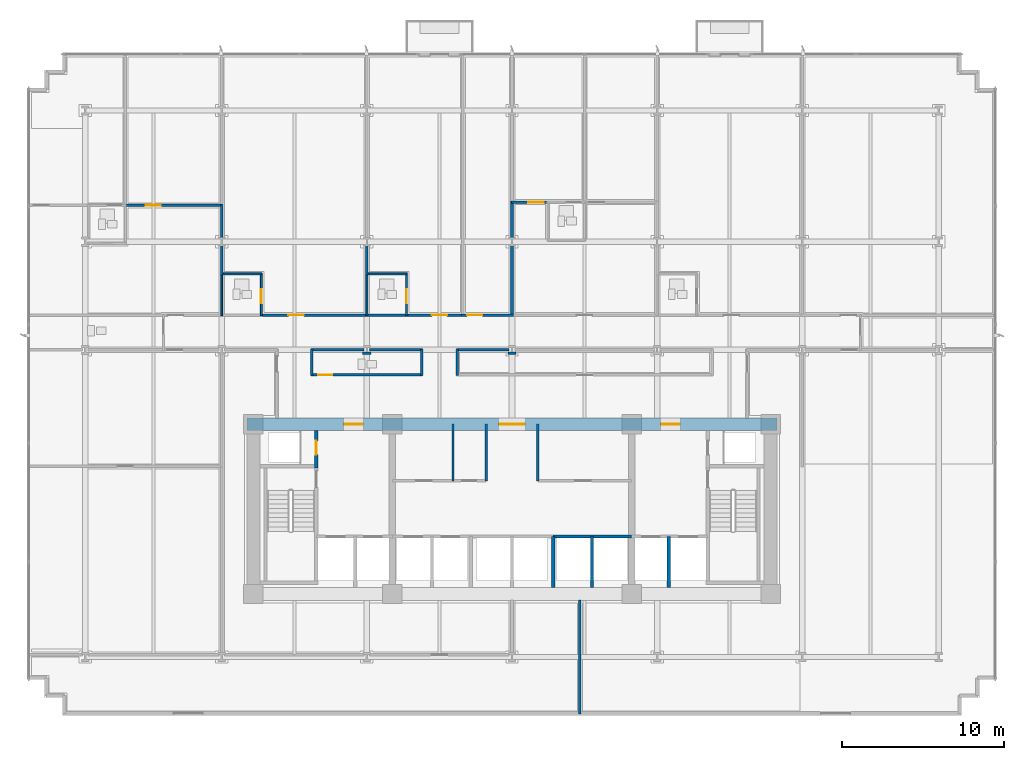
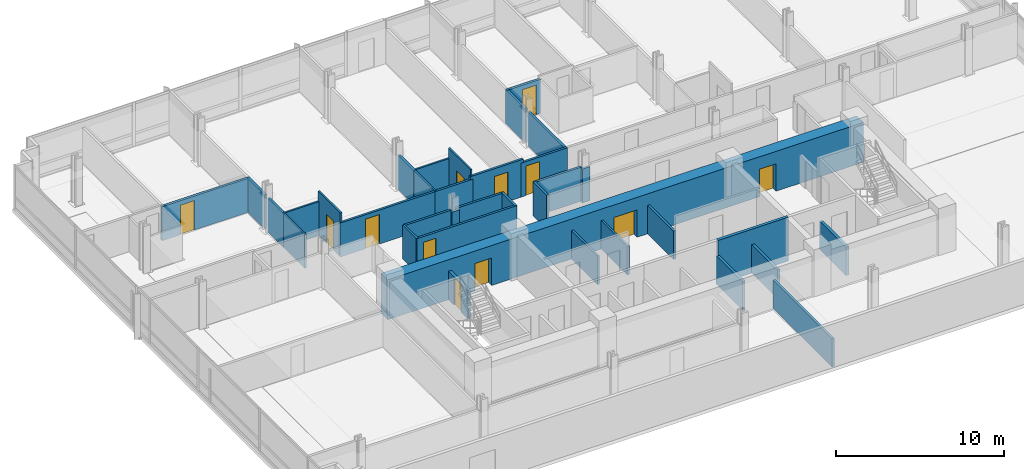
# One storey, part 9 of 16: 36 walls, 12 doors, 12 openings.
"""IFC4 building model written with IfcOpenShell, lengths in metres."""

from ifc_helpers import new_model, si_unit, direction, frame, frame_2d, origin, place, context, subcontext, project, spatial, rectangle, extrude, material, layer, layer_set, type_object, element, fill, save


model = new_model("IFC4")

# Units and contexts
model_context = context("Model", 3, precision=1e-05, world=origin(), true_north=direction((0.0, 1.0)))
body_context = subcontext(model_context, "Body", "Model", "MODEL_VIEW")
ifc_project = project(units=[si_unit("LENGTHUNIT", "METRE"), si_unit("AREAUNIT", "SQUARE_METRE"), si_unit("VOLUMEUNIT", "CUBIC_METRE"), si_unit("PLANEANGLEUNIT", "RADIAN"), si_unit("MASSUNIT", "GRAM", prefix="KILO")], contexts=[model_context])

# Site, building, storey
site_placement = place(None, origin())
site = spatial("IfcSite", under=ifc_project, at=site_placement, CompositionType="ELEMENT")
building_placement = place(site_placement, origin())
building = spatial("IfcBuilding", under=site, at=building_placement, Name="Solmavex Isthmus Hotel", CompositionType="ELEMENT")
storey_placement = place(building_placement, frame((0.0, 0.0, 36.75)))
storey = spatial("IfcBuildingStorey", under=building, at=storey_placement, Name="L09", CompositionType="ELEMENT", Elevation=36.75)

# Wall, opening, door
ifc_material_1 = material(Name="Gypsum plasterboard lining", Category="gypsum")
ifc_layer_1 = layer(ifc_material_1, 0.159912109375)
ifc_layer_set_1 = layer_set([ifc_layer_1], Name="Gypsum plasterboard lining")
wall_type_1 = type_object("IfcWallType", Name="IW-COMP-160", PredefinedType="PARTITIONING", material=ifc_layer_set_1)
wall_1_placement = place(storey_placement, frame((-23.9560546875, 11.0380859375, 0.0), z_axis=(0.0, 0.0, 1.0), x_axis=(1.0, 0.0, 0.0)))
wall_1 = element("IfcWall", 1, at=wall_1_placement, inside=storey, type_object=wall_type_1, Name="Interior Partition Wall W-L09-P034", PredefinedType="PARTITIONING", context=body_context, shape_type="SweptSolid", body=[
    extrude(rectangle(XDim=6.0439453125, YDim=0.159912109375, at=frame_2d((3.02197265625, 0.0))), origin(), (0.0, 0.0, 1.0), 2.4794921875),
])
opening_1_placement = place(wall_1_placement, frame((1.294677734375, 0.0, 0.0)))
opening_1 = element("IfcOpeningElement", 2, at=opening_1_placement, cuts=wall_1, Name="Opening ID-C095", PredefinedType="OPENING", context=body_context, shape_type="SweptSolid", body=[
    extrude(rectangle(XDim=0.949951171875, YDim=2.14990234375, at=frame_2d((0.47509765625, 1.074951171875))), frame((0.0, 0.08984375, 0.0), z_axis=(0.0, -1.0, 0.0), x_axis=(1.0, 0.0, 0.0)), (0.0, 0.0, 1.0), 0.179931640625),
])
ifc_material_2 = material(Name="Hardwood timber", Category="wood")
door_type_1 = type_object("IfcDoorType", Name="IDR-FD60-0950", OperationType="NOTDEFINED", PredefinedType="DOOR", material=ifc_material_2)
door_1_placement = place(opening_1_placement, origin())
door_1 = element("IfcDoor", 3, at=door_1_placement, inside=storey, type_object=door_type_1, Name="Ambassador Panorama Suite Panorama Sitting Study Door L09-03", OperationType="SINGLE_SWING_LEFT", OverallHeight=2.14990234375, OverallWidth=0.949951171875, PredefinedType="DOOR", context=body_context, shape_type="SweptSolid", body=[
    extrude(rectangle(XDim=0.949951171875, YDim=2.14990234375, at=frame_2d((0.47509765625, 1.074951171875))), frame((0.0, 0.02490234375, 0.0), z_axis=(0.0, -1.0, 0.0), x_axis=(1.0, 0.0, 0.0)), (0.0, 0.0, 1.0), 0.050048828125),
])
fill(opening_1, door_1)

# Walls
wall_2_placement = place(storey_placement, frame((-17.951904296875, 8.613037109375, 0.0), z_axis=(0.0, 0.0, 1.0), x_axis=(0.0, -1.0, 0.0)))
element("IfcWall", 4, at=wall_2_placement, inside=storey, type_object=wall_type_1, Name="Interior Partition Wall W-L09-P038", PredefinedType="PARTITIONING", context=body_context, shape_type="SweptSolid", body=[
    extrude(rectangle(XDim=1.89501953125, YDim=0.159912109375, at=frame_2d((0.947509765625, 0.0))), origin(), (0.0, 0.0, 1.0), 2.4794921875),
])
wall_3_placement = place(storey_placement, frame((-17.951904296875, 11.077880859375, 0.0), z_axis=(0.0, 0.0, 1.0), x_axis=(0.0, -1.0, 0.0)))
element("IfcWall", 5, at=wall_3_placement, inside=storey, type_object=wall_type_1, Name="Interior Partition Wall W-L09-P039", PredefinedType="PARTITIONING", context=body_context, shape_type="SweptSolid", body=[
    extrude(rectangle(XDim=2.114990234375, YDim=0.159912109375, at=frame_2d((1.0576171875, 0.0))), origin(), (0.0, 0.0, 1.0), 2.4794921875),
])
wall_4_placement = place(storey_placement, frame((-8.97607421875, 8.613037109375, 0.0), z_axis=(0.0, 0.0, 1.0), x_axis=(0.0, -1.0, 0.0)))
element("IfcWall", 6, at=wall_4_placement, inside=storey, type_object=wall_type_1, Name="Interior Partition Wall W-L09-P048", PredefinedType="PARTITIONING", context=body_context, shape_type="SweptSolid", body=[
    extrude(rectangle(XDim=1.89501953125, YDim=0.159912109375, at=frame_2d((0.947509765625, 0.0))), origin(), (0.0, 0.0, 1.0), 2.4794921875),
])
wall_5_placement = place(storey_placement, frame((0.0, 8.613037109375, 0.0), z_axis=(0.0, 0.0, 1.0), x_axis=(0.0, -1.0, 0.0)))
element("IfcWall", 7, at=wall_5_placement, inside=storey, type_object=wall_type_1, Name="Interior Partition Wall W-L09-P055", PredefinedType="PARTITIONING", context=body_context, shape_type="SweptSolid", body=[
    extrude(rectangle(XDim=4.403076171875, YDim=0.159912109375, at=frame_2d((2.20166015625, 0.0))), origin(), (0.0, 0.0, 1.0), 2.4794921875),
])
wall_6_placement = place(storey_placement, frame((0.0, 11.320068359375, 0.0), z_axis=(0.0, 0.0, 1.0), x_axis=(0.0, -1.0, 0.0)))
element("IfcWall", 8, at=wall_6_placement, inside=storey, type_object=wall_type_1, Name="Interior Partition Wall W-L09-P056", PredefinedType="PARTITIONING", context=body_context, shape_type="SweptSolid", body=[
    extrude(rectangle(XDim=2.357177734375, YDim=0.159912109375, at=frame_2d((1.1787109375, 0.0))), origin(), (0.0, 0.0, 1.0), 2.4794921875),
])

# Wall, opening, door
wall_7_placement = place(storey_placement, frame((-0.0400390625, 11.238037109375, 0.0), z_axis=(0.0, 0.0, 1.0), x_axis=(1.0, 0.0, 0.0)))
wall_7 = element("IfcWall", 9, at=wall_7_placement, inside=storey, type_object=wall_type_1, Name="Interior Partition Wall W-L09-P059", PredefinedType="PARTITIONING", context=body_context, shape_type="SweptSolid", body=[
    extrude(rectangle(XDim=2.318115234375, YDim=0.159912109375, at=frame_2d((1.1591796875, 0.0))), origin(), (0.0, 0.0, 1.0), 2.4794921875),
])
opening_2_placement = place(wall_7_placement, frame((1.06005859375, 0.0, 0.0)))
opening_2 = element("IfcOpeningElement", 10, at=opening_2_placement, cuts=wall_7, Name="Opening ID-C095", PredefinedType="OPENING", context=body_context, shape_type="SweptSolid", body=[
    extrude(rectangle(XDim=0.949951171875, YDim=2.14990234375, at=frame_2d((0.47509765625, 1.074951171875))), frame((0.0, 0.08984375, 0.0), z_axis=(0.0, -1.0, 0.0), x_axis=(1.0, 0.0, 0.0)), (0.0, 0.0, 1.0), 0.179931640625),
])
door_2_placement = place(opening_2_placement, origin())
door_2 = element("IfcDoor", 11, at=door_2_placement, inside=storey, type_object=door_type_1, Name="Diplomatic Hospitality Suite Bedroom Door L09-11", OperationType="SINGLE_SWING_LEFT", OverallHeight=2.14990234375, OverallWidth=0.949951171875, PredefinedType="DOOR", context=body_context, shape_type="SweptSolid", body=[
    extrude(rectangle(XDim=0.949951171875, YDim=2.14990234375, at=frame_2d((0.47509765625, 1.074951171875))), frame((0.0, 0.02490234375, 0.0), z_axis=(0.0, -1.0, 0.0), x_axis=(1.0, 0.0, 0.0)), (0.0, 0.0, 1.0), 0.050048828125),
])
fill(opening_2, door_2)

# Walls
wall_8_placement = place(storey_placement, frame((4.199951171875, -20.419921875, 0.0), z_axis=(0.0, 0.0, 1.0), x_axis=(0.0, 1.0, 0.0)))
element("IfcWall", 12, at=wall_8_placement, inside=storey, type_object=wall_type_1, Name="Interior Partition Wall W-L09-P088", PredefinedType="PARTITIONING", context=body_context, shape_type="SweptSolid", body=[
    extrude(rectangle(XDim=7.059814453125, YDim=0.159912109375, at=frame_2d((3.52978515625, 0.0))), origin(), (0.0, 0.0, 1.0), 2.074951171875),
])
ifc_layer_2 = layer(ifc_material_1, 0.14990234375)
ifc_layer_set_2 = layer_set([ifc_layer_2], Name="Gypsum plasterboard lining")
wall_type_2 = type_object("IfcWallType", Name="IW-CORR-150", PredefinedType="PARTITIONING", material=ifc_layer_set_2)
for number, where, z_axis, x_axis, name in (
    (13, (-1.60009765625, -6.0, 0.0), (0.0, 0.0, 1.0), (0.0, 1.0, 0.0), "Interior Partition Wall W-L09-BOH-WE"),
    (14, (1.60009765625, -6.0, 0.0), (0.0, 0.0, 1.0), (0.0, 1.0, 0.0), "Interior Partition Wall W-L09-BOH-EW"),
):
    element("IfcWall", number, at=place(storey_placement, frame(where, z_axis=z_axis, x_axis=x_axis)), inside=storey, type_object=wall_type_2, Name=name, PredefinedType="PARTITIONING", context=body_context, shape_type="SweptSolid", body=[
        extrude(rectangle(XDim=3.5, YDim=0.14990234375, at=frame_2d((1.75, 0.0))), origin(), (0.0, 0.0, 1.0), 2.074951171875),
    ])

# Wall, opening, door
wall_9_placement = place(storey_placement, frame((-15.583984375, 4.25, 0.0), z_axis=(0.0, 0.0, 1.0), x_axis=(1.0, 0.0, 0.0)))
wall_9 = element("IfcWall", 15, at=wall_9_placement, inside=storey, type_object=wall_type_2, Name="Interior Partition Wall W-L09-P002", PredefinedType="PARTITIONING", context=body_context, shape_type="SweptSolid", body=[
    extrude(rectangle(XDim=6.68994140625, YDim=0.14990234375, at=frame_2d((3.344970703125, 0.0))), origin(), (0.0, 0.0, 1.0), 2.4794921875),
])
opening_3_placement = place(wall_9_placement, frame((1.759521484375, 0.0, 0.0)))
opening_3 = element("IfcOpeningElement", 16, at=opening_3_placement, cuts=wall_9, Name="Opening ID-C095", PredefinedType="OPENING", context=body_context, shape_type="SweptSolid", body=[
    extrude(rectangle(XDim=0.949951171875, YDim=2.14990234375, at=frame_2d((0.47509765625, 1.074951171875))), frame((0.0, 0.0849609375, 0.0), z_axis=(0.0, -1.0, 0.0), x_axis=(1.0, 0.0, 0.0)), (0.0, 0.0, 1.0), 0.169921875),
])
door_3_placement = place(opening_3_placement, origin())
door_3 = element("IfcDoor", 17, at=door_3_placement, inside=storey, type_object=door_type_1, Name="Premier Suite Door L09-05", OperationType="SINGLE_SWING_LEFT", OverallHeight=2.14990234375, OverallWidth=0.949951171875, PredefinedType="DOOR", context=body_context, shape_type="SweptSolid", body=[
    extrude(rectangle(XDim=0.949951171875, YDim=2.14990234375, at=frame_2d((0.47509765625, 1.074951171875))), frame((0.0, 0.02490234375, 0.0), z_axis=(0.0, -1.0, 0.0), x_axis=(1.0, 0.0, 0.0)), (0.0, 0.0, 1.0), 0.050048828125),
])
fill(opening_3, door_3)

wall_10_placement = place(storey_placement, frame((-6.60791015625, 4.25, 0.0), z_axis=(0.0, 0.0, 1.0), x_axis=(1.0, 0.0, 0.0)))
wall_10 = element("IfcWall", 18, at=wall_10_placement, inside=storey, type_object=wall_type_2, Name="Interior Partition Wall W-L09-P004", PredefinedType="PARTITIONING", context=body_context, shape_type="SweptSolid", body=[
    extrude(rectangle(XDim=3.65185546875, YDim=0.14990234375, at=frame_2d((1.825927734375, 0.0))), origin(), (0.0, 0.0, 1.0), 2.718017578125),
])
opening_4_placement = place(wall_10_placement, frame((1.65087890625, 0.0, 0.0)))
opening_4 = element("IfcOpeningElement", 19, at=opening_4_placement, cuts=wall_10, Name="Opening ID-C095", PredefinedType="OPENING", context=body_context, shape_type="SweptSolid", body=[
    extrude(rectangle(XDim=0.949951171875, YDim=2.14990234375, at=frame_2d((0.47509765625, 1.074951171875))), frame((0.0, 0.0849609375, 0.0), z_axis=(0.0, -1.0, 0.0), x_axis=(1.0, 0.0, 0.0)), (0.0, 0.0, 1.0), 0.169921875),
])
door_4_placement = place(opening_4_placement, origin())
door_4 = element("IfcDoor", 20, at=door_4_placement, inside=storey, type_object=door_type_1, Name="Premier Suite Door L09-07", OperationType="SINGLE_SWING_LEFT", OverallHeight=2.14990234375, OverallWidth=0.949951171875, PredefinedType="DOOR", context=body_context, shape_type="SweptSolid", body=[
    extrude(rectangle(XDim=0.949951171875, YDim=2.14990234375, at=frame_2d((0.47509765625, 1.074951171875))), frame((0.0, 0.02490234375, 0.0), z_axis=(0.0, -1.0, 0.0), x_axis=(1.0, 0.0, 0.0)), (0.0, 0.0, 1.0), 0.050048828125),
])
fill(opening_4, door_4)

# Wall
wall_11_placement = place(storey_placement, frame((-9.05810546875, 4.25, 0.0), z_axis=(0.0, 0.0, 1.0), x_axis=(1.0, 0.0, 0.0)))
element("IfcWall", 21, at=wall_11_placement, inside=storey, type_object=wall_type_2, Name="Interior Partition Wall W-L09-P005", PredefinedType="PARTITIONING", context=body_context, shape_type="SweptSolid", body=[
    extrude(rectangle(XDim=2.614013671875, YDim=0.14990234375, at=frame_2d((1.30712890625, 0.0))), origin(), (0.0, 0.0, 1.0), 2.4794921875),
])

# Wall, opening, door
wall_12_placement = place(storey_placement, frame((-3.1201171875, 4.25, 0.0), z_axis=(0.0, 0.0, 1.0), x_axis=(1.0, 0.0, 0.0)))
wall_12 = element("IfcWall", 22, at=wall_12_placement, inside=storey, type_object=wall_type_2, Name="Interior Partition Wall W-L09-P006", PredefinedType="PARTITIONING", context=body_context, shape_type="SweptSolid", body=[
    extrude(rectangle(XDim=3.2021484375, YDim=0.14990234375, at=frame_2d((1.60107421875, 0.0))), origin(), (0.0, 0.0, 1.0), 2.4794921875),
])
opening_5_placement = place(wall_12_placement, frame((0.33935546875, 0.0, 0.0)))
opening_5 = element("IfcOpeningElement", 23, at=opening_5_placement, cuts=wall_12, Name="Opening ID-C095", PredefinedType="OPENING", context=body_context, shape_type="SweptSolid", body=[
    extrude(rectangle(XDim=0.949951171875, YDim=2.14990234375, at=frame_2d((0.47509765625, 1.074951171875))), frame((0.0, 0.0849609375, 0.0), z_axis=(0.0, -1.0, 0.0), x_axis=(1.0, 0.0, 0.0)), (0.0, 0.0, 1.0), 0.169921875),
])
door_5_placement = place(opening_5_placement, origin())
door_5 = element("IfcDoor", 24, at=door_5_placement, inside=storey, type_object=door_type_1, Name="Hospitality Club Lounge Door L09-09", OperationType="SINGLE_SWING_LEFT", OverallHeight=2.14990234375, OverallWidth=0.949951171875, PredefinedType="DOOR", context=body_context, shape_type="SweptSolid", body=[
    extrude(rectangle(XDim=0.949951171875, YDim=2.14990234375, at=frame_2d((0.47509765625, 1.074951171875))), frame((0.0, 0.02490234375, 0.0), z_axis=(0.0, -1.0, 0.0), x_axis=(1.0, 0.0, 0.0)), (0.0, 0.0, 1.0), 0.050048828125),
])
fill(opening_5, door_5)

# Walls
wall_13_placement = place(storey_placement, frame((-8.720947265625, 1.885009765625, 0.0), z_axis=(0.0, 0.0, 1.0), x_axis=(-1.0, 0.0, 0.0)))
element("IfcWall", 25, at=wall_13_placement, inside=storey, type_object=wall_type_2, Name="Interior Partition Wall W-L09-P011", PredefinedType="PARTITIONING", context=body_context, shape_type="SweptSolid", body=[
    extrude(rectangle(XDim=0.510009765625, YDim=0.14990234375, at=frame_2d((0.2548828125, 0.0))), origin(), (0.0, 0.0, 1.0), 2.4794921875),
])
wall_14_placement = place(storey_placement, frame((-9.15087890625, 2.10009765625, 0.0), z_axis=(0.0, 0.0, 1.0), x_axis=(-1.0, 0.0, 0.0)))
element("IfcWall", 26, at=wall_14_placement, inside=storey, type_object=wall_type_2, Name="Interior Partition Wall W-L09-P012", PredefinedType="PARTITIONING", context=body_context, shape_type="SweptSolid", body=[
    extrude(rectangle(XDim=3.273193359375, YDim=0.14990234375, at=frame_2d((1.63671875, 0.0))), origin(), (0.0, 0.0, 1.0), 2.4794921875),
])
wall_15_placement = place(storey_placement, frame((-12.384033203125, 2.139892578125, 0.0), z_axis=(0.0, 0.0, 1.0), x_axis=(0.0, -1.0, 0.0)))
element("IfcWall", 27, at=wall_15_placement, inside=storey, type_object=wall_type_2, Name="Interior Partition Wall W-L09-P013", PredefinedType="PARTITIONING", context=body_context, shape_type="SweptSolid", body=[
    extrude(rectangle(XDim=1.6298828125, YDim=0.14990234375, at=frame_2d((0.81494140625, 0.0))), origin(), (0.0, 0.0, 1.0), 2.4794921875),
])

# Wall, opening, door
wall_16_placement = place(storey_placement, frame((-12.424072265625, 0.550048828125, 0.0), z_axis=(0.0, 0.0, 1.0), x_axis=(1.0, 0.0, 0.0)))
wall_16 = element("IfcWall", 28, at=wall_16_placement, inside=storey, type_object=wall_type_2, Name="Interior Partition Wall W-L09-P014", PredefinedType="PARTITIONING", context=body_context, shape_type="SweptSolid", body=[
    extrude(rectangle(XDim=6.8759765625, YDim=0.14990234375, at=frame_2d((3.43798828125, 0.0))), origin(), (0.0, 0.0, 1.0), 2.4794921875),
])
opening_6_placement = place(wall_16_placement, frame((0.444091796875, 0.0, 0.0)))
opening_6 = element("IfcOpeningElement", 29, at=opening_6_placement, cuts=wall_16, Name="Opening ID-R085", PredefinedType="OPENING", context=body_context, shape_type="SweptSolid", body=[
    extrude(rectangle(XDim=0.85009765625, YDim=2.050048828125, at=frame_2d((0.425048828125, 1.02490234375))), frame((0.0, 0.0849609375, 0.0), z_axis=(0.0, -1.0, 0.0), x_axis=(1.0, 0.0, 0.0)), (0.0, 0.0, 1.0), 0.169921875),
])
ifc_material_3 = material(Name="Steel ASTM A500 Grade C", Category="steel")
door_type_2 = type_object("IfcDoorType", Name="IDR-FD60-0850", OperationType="NOTDEFINED", PredefinedType="DOOR", material=ifc_material_3)
door_6_placement = place(opening_6_placement, frame((0.85009765625, 0.0, 0.0), z_axis=(0.0, 0.0, 1.0), x_axis=(-1.0, 0.0, 0.0)))
door_6 = element("IfcDoor", 30, at=door_6_placement, inside=storey, type_object=door_type_2, Name="Accessible Public Restroom WC Door L09-17", OperationType="SINGLE_SWING_LEFT", OverallHeight=2.050048828125, OverallWidth=0.85009765625, PredefinedType="DOOR", context=body_context, shape_type="SweptSolid", body=[
    extrude(rectangle(XDim=0.85009765625, YDim=2.050048828125, at=frame_2d((0.425048828125, 1.02490234375))), frame((0.0, 0.02490234375, 0.0), z_axis=(0.0, -1.0, 0.0), x_axis=(1.0, 0.0, 0.0)), (0.0, 0.0, 1.0), 0.050048828125),
])
fill(opening_6, door_6)

# Walls
wall_17_placement = place(storey_placement, frame((-5.587890625, 0.510009765625, 0.0), z_axis=(0.0, 0.0, 1.0), x_axis=(0.0, 1.0, 0.0)))
element("IfcWall", 31, at=wall_17_placement, inside=storey, type_object=wall_type_2, Name="Interior Partition Wall W-L09-P015", PredefinedType="PARTITIONING", context=body_context, shape_type="SweptSolid", body=[
    extrude(rectangle(XDim=1.6298828125, YDim=0.14990234375, at=frame_2d((0.81494140625, 0.0))), origin(), (0.0, 0.0, 1.0), 2.4794921875),
])
wall_18_placement = place(storey_placement, frame((-5.548095703125, 2.10009765625, 0.0), z_axis=(0.0, 0.0, 1.0), x_axis=(-1.0, 0.0, 0.0)))
element("IfcWall", 32, at=wall_18_placement, inside=storey, type_object=wall_type_2, Name="Interior Partition Wall W-L09-P016", PredefinedType="PARTITIONING", context=body_context, shape_type="SweptSolid", body=[
    extrude(rectangle(XDim=3.2529296875, YDim=0.14990234375, at=frame_2d((1.62646484375, 0.0))), origin(), (0.0, 0.0, 1.0), 2.4794921875),
])
wall_19_placement = place(storey_placement, frame((0.2548828125, 1.885009765625, 0.0), z_axis=(0.0, 0.0, 1.0), x_axis=(-1.0, 0.0, 0.0)))
element("IfcWall", 33, at=wall_19_placement, inside=storey, type_object=wall_type_2, Name="Interior Partition Wall W-L09-P020", PredefinedType="PARTITIONING", context=body_context, shape_type="SweptSolid", body=[
    extrude(rectangle(XDim=0.509765625, YDim=0.14990234375, at=frame_2d((0.2548828125, 0.0))), origin(), (0.0, 0.0, 1.0), 2.4794921875),
])
wall_20_placement = place(storey_placement, frame((-0.175048828125, 2.10009765625, 0.0), z_axis=(0.0, 0.0, 1.0), x_axis=(-1.0, 0.0, 0.0)))
element("IfcWall", 34, at=wall_20_placement, inside=storey, type_object=wall_type_2, Name="Interior Partition Wall W-L09-P021", PredefinedType="PARTITIONING", context=body_context, shape_type="SweptSolid", body=[
    extrude(rectangle(XDim=3.2529296875, YDim=0.14990234375, at=frame_2d((1.62646484375, 0.0))), origin(), (0.0, 0.0, 1.0), 2.4794921875),
])
wall_21_placement = place(storey_placement, frame((-3.387939453125, 2.139892578125, 0.0), z_axis=(0.0, 0.0, 1.0), x_axis=(0.0, -1.0, 0.0)))
element("IfcWall", 35, at=wall_21_placement, inside=storey, type_object=wall_type_2, Name="Interior Partition Wall W-L09-P022", PredefinedType="PARTITIONING", context=body_context, shape_type="SweptSolid", body=[
    extrude(rectangle(XDim=1.6298828125, YDim=0.14990234375, at=frame_2d((0.81494140625, 0.0))), origin(), (0.0, 0.0, 1.0), 2.4794921875),
])
ifc_layer_3 = layer(ifc_material_1, 0.1201171875)
ifc_layer_set_3 = layer_set([ifc_layer_3], Name="Gypsum plasterboard lining")
wall_type_3 = type_object("IfcWallType", Name="IW-PART-120", PredefinedType="PARTITIONING", material=ifc_layer_set_3)
wall_22_placement = place(storey_placement, frame((-3.64990234375, -6.0, 0.0), z_axis=(0.0, 0.0, 1.0), x_axis=(0.0, 1.0, 0.0)))
element("IfcWall", 36, at=wall_22_placement, inside=storey, type_object=wall_type_3, Name="Interior Partition Wall W-L09-BOH-WM1", PredefinedType="PARTITIONING", context=body_context, shape_type="SweptSolid", body=[
    extrude(rectangle(XDim=3.5, YDim=0.14990234375, at=frame_2d((1.75, 0.0))), origin(), (0.0, 0.0, 1.0), 2.074951171875),
])
wall_23_placement = place(storey_placement, frame((-17.951904296875, 6.882080078125, 0.0), z_axis=(0.0, 0.0, 1.0), x_axis=(0.0, -1.0, 0.0)))
element("IfcWall", 37, at=wall_23_placement, inside=storey, type_object=wall_type_3, Name="Interior Partition Wall W-L09-P040", PredefinedType="PARTITIONING", context=body_context, shape_type="SweptSolid", body=[
    extrude(rectangle(XDim=2.672119140625, YDim=0.1201171875, at=frame_2d((1.3359375, 0.0))), origin(), (0.0, 0.0, 1.0), 2.4794921875),
])

# Wall, opening, door
wall_24_placement = place(storey_placement, frame((-15.501953125, 4.2099609375, 0.0), z_axis=(0.0, 0.0, 1.0), x_axis=(0.0, 1.0, 0.0)))
wall_24 = element("IfcWall", 38, at=wall_24_placement, inside=storey, type_object=wall_type_3, Name="Interior Partition Wall W-L09-P046", PredefinedType="PARTITIONING", context=body_context, shape_type="SweptSolid", body=[
    extrude(rectangle(XDim=2.630126953125, YDim=0.1201171875, at=frame_2d((1.31494140625, 0.0))), origin(), (0.0, 0.0, 1.0), 3.18994140625),
])
opening_7_placement = place(wall_24_placement, frame((0.782958984375, 0.0, 0.0)))
opening_7 = element("IfcOpeningElement", 39, at=opening_7_placement, cuts=wall_24, Name="Opening ID-U085", PredefinedType="OPENING", context=body_context, shape_type="SweptSolid", body=[
    extrude(rectangle(XDim=0.85009765625, YDim=2.10009765625, at=frame_2d((0.425048828125, 1.050048828125))), frame((0.0, 0.070068359375, 0.0), z_axis=(0.0, -1.0, 0.0), x_axis=(1.0, 0.0, 0.0)), (0.0, 0.0, 1.0), 0.14013671875),
])
door_type_3 = type_object("IfcDoorType", Name="IDR-UNR-0850", OperationType="NOTDEFINED", PredefinedType="DOOR", material=ifc_material_2)
door_7_placement = place(opening_7_placement, frame((0.85009765625, 0.0, 0.0), z_axis=(0.0, 0.0, 1.0), x_axis=(-1.0, 0.0, 0.0)))
door_7 = element("IfcDoor", 40, at=door_7_placement, inside=storey, type_object=door_type_3, Name="En-suite Bathroom Door L09-06", OperationType="SINGLE_SWING_RIGHT", OverallHeight=2.10009765625, OverallWidth=0.85009765625, PredefinedType="DOOR", context=body_context, shape_type="SweptSolid", body=[
    extrude(rectangle(XDim=0.85009765625, YDim=2.10009765625, at=frame_2d((0.425048828125, 1.050048828125))), frame((0.0, 0.02490234375, 0.0), z_axis=(0.0, -1.0, 0.0), x_axis=(1.0, 0.0, 0.0)), (0.0, 0.0, 1.0), 0.050048828125),
])
fill(opening_7, door_7)

# Walls
wall_25_placement = place(storey_placement, frame((-15.4619140625, 6.800048828125, 0.0), z_axis=(0.0, 0.0, 1.0), x_axis=(-1.0, 0.0, 0.0)))
element("IfcWall", 41, at=wall_25_placement, inside=storey, type_object=wall_type_3, Name="Interior Partition Wall W-L09-P047", PredefinedType="PARTITIONING", context=body_context, shape_type="SweptSolid", body=[
    extrude(rectangle(XDim=2.530029296875, YDim=0.1201171875, at=frame_2d((1.26513671875, 0.0))), origin(), (0.0, 0.0, 1.0), 2.4794921875),
])
wall_26_placement = place(storey_placement, frame((-8.97607421875, 6.882080078125, 0.0), z_axis=(0.0, 0.0, 1.0), x_axis=(0.0, -1.0, 0.0)))
element("IfcWall", 42, at=wall_26_placement, inside=storey, type_object=wall_type_3, Name="Interior Partition Wall W-L09-P051", PredefinedType="PARTITIONING", context=body_context, shape_type="SweptSolid", body=[
    extrude(rectangle(XDim=2.672119140625, YDim=0.1201171875, at=frame_2d((1.3359375, 0.0))), origin(), (0.0, 0.0, 1.0), 2.4794921875),
])

# Wall, opening, door
wall_27_placement = place(storey_placement, frame((-6.52587890625, 4.2099609375, 0.0), z_axis=(0.0, 0.0, 1.0), x_axis=(0.0, 1.0, 0.0)))
wall_27 = element("IfcWall", 43, at=wall_27_placement, inside=storey, type_object=wall_type_3, Name="Interior Partition Wall W-L09-P052", PredefinedType="PARTITIONING", context=body_context, shape_type="SweptSolid", body=[
    extrude(rectangle(XDim=2.630126953125, YDim=0.1201171875, at=frame_2d((1.31494140625, 0.0))), origin(), (0.0, 0.0, 1.0), 3.18994140625),
])
opening_8_placement = place(wall_27_placement, frame((0.782958984375, 0.0, 0.0)))
opening_8 = element("IfcOpeningElement", 44, at=opening_8_placement, cuts=wall_27, Name="Opening ID-U085", PredefinedType="OPENING", context=body_context, shape_type="SweptSolid", body=[
    extrude(rectangle(XDim=0.85009765625, YDim=2.10009765625, at=frame_2d((0.425048828125, 1.050048828125))), frame((0.0, 0.070068359375, 0.0), z_axis=(0.0, -1.0, 0.0), x_axis=(1.0, 0.0, 0.0)), (0.0, 0.0, 1.0), 0.14013671875),
])
door_8_placement = place(opening_8_placement, frame((0.85009765625, 0.0, 0.0), z_axis=(0.0, 0.0, 1.0), x_axis=(-1.0, 0.0, 0.0)))
door_8 = element("IfcDoor", 45, at=door_8_placement, inside=storey, type_object=door_type_3, Name="En-suite Bathroom Door L09-08", OperationType="SINGLE_SWING_RIGHT", OverallHeight=2.10009765625, OverallWidth=0.85009765625, PredefinedType="DOOR", context=body_context, shape_type="SweptSolid", body=[
    extrude(rectangle(XDim=0.85009765625, YDim=2.10009765625, at=frame_2d((0.425048828125, 1.050048828125))), frame((0.0, 0.02490234375, 0.0), z_axis=(0.0, -1.0, 0.0), x_axis=(1.0, 0.0, 0.0)), (0.0, 0.0, 1.0), 0.050048828125),
])
fill(opening_8, door_8)

# Walls
wall_28_placement = place(storey_placement, frame((-6.486083984375, 6.800048828125, 0.0), z_axis=(0.0, 0.0, 1.0), x_axis=(-1.0, 0.0, 0.0)))
element("IfcWall", 46, at=wall_28_placement, inside=storey, type_object=wall_type_3, Name="Interior Partition Wall W-L09-P053", PredefinedType="PARTITIONING", context=body_context, shape_type="SweptSolid", body=[
    extrude(rectangle(XDim=2.530029296875, YDim=0.1201171875, at=frame_2d((1.26513671875, 0.0))), origin(), (0.0, 0.0, 1.0), 2.4794921875),
])
ifc_material_4 = material(Name="Concrete C40/50", Category="concrete")
ifc_layer_4 = layer(ifc_material_4, 0.179931640625)
ifc_layer_set_4 = layer_set([ifc_layer_4], Name="Concrete C40/50")
wall_type_4 = type_object("IfcWallType", Name="IW-SHAFT-180", PredefinedType="PARTITIONING", material=ifc_layer_set_4)
wall_29_placement = place(storey_placement, frame((4.949951171875, -12.60009765625, 0.0), z_axis=(0.0, 0.0, 1.0), x_axis=(0.0, 1.0, 0.0)))
element("IfcWall", 47, at=wall_29_placement, inside=storey, type_object=wall_type_4, Name="Interior Partition Wall W-L09-SH-PLH-M", PredefinedType="PARTITIONING", context=body_context, shape_type="SweptSolid", body=[
    extrude(rectangle(XDim=3.150146484375, YDim=0.179931640625, at=frame_2d((1.5751953125, 0.0))), origin(), (0.0, 0.0, 1.0), 2.074951171875),
])

# Wall, opening, door
ifc_layer_5 = layer(ifc_material_4, 0.199951171875)
ifc_layer_set_5 = layer_set([ifc_layer_5], Name="Concrete C40/50")
wall_type_5 = type_object("IfcWallType", Name="IW-SHAFT-200", PredefinedType="PARTITIONING", material=ifc_layer_set_5)
wall_30_placement = place(storey_placement, frame((-12.10009765625, -5.199951171875, 0.0), z_axis=(0.0, 0.0, 1.0), x_axis=(0.0, 1.0, 0.0)))
wall_30 = element("IfcWall", 48, at=wall_30_placement, inside=storey, type_object=wall_type_5, Name="Interior Partition Wall W-L09-RSW-E", PredefinedType="PARTITIONING", context=body_context, shape_type="SweptSolid", body=[
    extrude(rectangle(XDim=2.300048828125, YDim=0.199951171875, at=frame_2d((1.14990234375, 0.0))), origin(), (0.0, 0.0, 1.0), 2.074951171875),
])
opening_9_placement = place(wall_30_placement, frame((0.824951171875, 0.0, 0.0)))
opening_9 = element("IfcOpeningElement", 49, at=opening_9_placement, cuts=wall_30, Name="Opening ID-R085", PredefinedType="OPENING", context=body_context, shape_type="SweptSolid", body=[
    extrude(rectangle(XDim=0.85009765625, YDim=2.050048828125, at=frame_2d((0.425048828125, 1.02490234375))), frame((0.0, 0.10986328125, 0.0), z_axis=(0.0, -1.0, 0.0), x_axis=(1.0, 0.0, 0.0)), (0.0, 0.0, 1.0), 0.219970703125),
])
door_9_placement = place(opening_9_placement, origin())
door_9 = element("IfcDoor", 50, at=door_9_placement, inside=storey, type_object=door_type_2, Name="Electrical Riser Door L09", OperationType="SINGLE_SWING_RIGHT", OverallHeight=2.050048828125, OverallWidth=0.85009765625, PredefinedType="DOOR", context=body_context, shape_type="SweptSolid", body=[
    extrude(rectangle(XDim=0.85009765625, YDim=2.050048828125, at=frame_2d((0.425048828125, 1.02490234375))), frame((0.0, 0.02490234375, 0.0), z_axis=(0.0, -1.0, 0.0), x_axis=(1.0, 0.0, 0.0)), (0.0, 0.0, 1.0), 0.050048828125),
])
fill(opening_9, door_9)

# Walls
for number, where, z_axis, x_axis, name in (
    (51, (9.699951171875, -12.60009765625, 0.0), (0.0, 0.0, 1.0), (0.0, 1.0, 0.0), "Interior Partition Wall W-L09-FFLE-M"),
    (52, (2.550048828125, -12.60009765625, 0.0), (0.0, 0.0, 1.0), (0.0, 1.0, 0.0), "Interior Partition Wall W-L09-SH-PLM-E"),
):
    element("IfcWall", number, at=place(storey_placement, frame(where, z_axis=z_axis, x_axis=x_axis)), inside=storey, type_object=wall_type_5, Name=name, PredefinedType="PARTITIONING", context=body_context, shape_type="SweptSolid", body=[
        extrude(rectangle(XDim=3.150146484375, YDim=0.199951171875, at=frame_2d((1.5751953125, 0.0))), origin(), (0.0, 0.0, 1.0), 2.074951171875),
    ])
wall_31_placement = place(storey_placement, frame((2.550048828125, -9.449951171875, 0.0), z_axis=(0.0, 0.0, 1.0), x_axis=(1.0, 0.0, 0.0)))
element("IfcWall", 53, at=wall_31_placement, inside=storey, type_object=wall_type_5, Name="Interior Partition Wall W-L09-SH-PLH", PredefinedType="PARTITIONING", context=body_context, shape_type="SweptSolid", body=[
    extrude(rectangle(XDim=4.849853515625, YDim=0.199951171875, at=frame_2d((2.4248046875, 0.0))), origin(), (0.0, 0.0, 1.0), 3.18994140625),
])

# Wall, openings, doors
ifc_material_5 = material(Name="Concrete C70/85", Category="concrete")
ifc_layer_6 = layer(ifc_material_5, 0.800048828125)
ifc_layer_set_6 = layer_set([ifc_layer_6], Name="Concrete C70/85")
wall_type_6 = type_object("IfcWallType", Name="WALL-CW-800", PredefinedType="SHEAR", material=ifc_layer_set_6)
wall_32_placement = place(storey_placement, frame((-16.39990234375, -2.5, 0.0), z_axis=(0.0, 0.0, 1.0), x_axis=(1.0, 0.0, 0.0)))
wall_32 = element("IfcWall", 54, at=wall_32_placement, inside=storey, type_object=wall_type_6, Name="Core Shear Wall North L09", PredefinedType="SHEAR", context=body_context, shape_type="SweptSolid", body=[
    extrude(rectangle(XDim=32.7998046875, YDim=0.800048828125, at=frame_2d((16.39990234375, 0.0))), origin(), (0.0, 0.0, 1.0), 2.909912109375),
])
opening_10_placement = place(wall_32_placement, frame((6.02490234375, 0.0, 0.0)))
opening_10 = element("IfcOpeningElement", 55, at=opening_10_placement, cuts=wall_32, Name="Opening ID-F915", PredefinedType="OPENING", context=body_context, shape_type="SweptSolid", body=[
    extrude(rectangle(XDim=1.14990234375, YDim=2.0, at=frame_2d((0.574951171875, 1.0))), frame((0.0, 0.409912109375, 0.0), z_axis=(0.0, -1.0, 0.0), x_axis=(1.0, 0.0, 0.0)), (0.0, 0.0, 1.0), 0.820068359375),
])
opening_11_placement = place(wall_32_placement, frame((15.60009765625, 0.0, 0.0)))
opening_11 = element("IfcOpeningElement", 56, at=opening_11_placement, cuts=wall_32, Name="Opening ID-F960", PredefinedType="OPENING", context=body_context, shape_type="SweptSolid", body=[
    extrude(rectangle(XDim=1.60009765625, YDim=2.0, at=frame_2d((0.800048828125, 1.0))), frame((0.0, 0.409912109375, 0.0), z_axis=(0.0, -1.0, 0.0), x_axis=(1.0, 0.0, 0.0)), (0.0, 0.0, 1.0), 0.820068359375),
])
opening_12_placement = place(wall_32_placement, frame((25.625, 0.0, 0.0)))
opening_12 = element("IfcOpeningElement", 57, at=opening_12_placement, cuts=wall_32, Name="Opening ID-F915", PredefinedType="OPENING", context=body_context, shape_type="SweptSolid", body=[
    extrude(rectangle(XDim=1.14990234375, YDim=2.0, at=frame_2d((0.574951171875, 1.0))), frame((0.0, 0.409912109375, 0.0), z_axis=(0.0, -1.0, 0.0), x_axis=(1.0, 0.0, 0.0)), (0.0, 0.0, 1.0), 0.820068359375),
])
door_type_4 = type_object("IfcDoorType", Name="IDR-FD90-1150C", OperationType="NOTDEFINED", PredefinedType="DOOR", material=ifc_material_3)
door_10_placement = place(opening_10_placement, origin())
door_10 = element("IfcDoor", 58, at=door_10_placement, inside=storey, type_object=door_type_4, Name="Firefighting Lobby West Exit Door L09", OperationType="SINGLE_SWING_LEFT", OverallHeight=2.0, OverallWidth=1.14990234375, PredefinedType="DOOR", context=body_context, shape_type="SweptSolid", body=[
    extrude(rectangle(XDim=1.14990234375, YDim=2.0, at=frame_2d((0.574951171875, 1.0))), frame((0.0, 0.02490234375, 0.0), z_axis=(0.0, -1.0, 0.0), x_axis=(1.0, 0.0, 0.0)), (0.0, 0.0, 1.0), 0.050048828125),
])
fill(opening_10, door_10)
door_11_placement = place(opening_12_placement, origin())
door_11 = element("IfcDoor", 59, at=door_11_placement, inside=storey, type_object=door_type_4, Name="Firefighting Lobby East Exit Door L09", OperationType="SINGLE_SWING_RIGHT", OverallHeight=2.0, OverallWidth=1.14990234375, PredefinedType="DOOR", context=body_context, shape_type="SweptSolid", body=[
    extrude(rectangle(XDim=1.14990234375, YDim=2.0, at=frame_2d((0.574951171875, 1.0))), frame((0.0, 0.02490234375, 0.0), z_axis=(0.0, -1.0, 0.0), x_axis=(1.0, 0.0, 0.0)), (0.0, 0.0, 1.0), 0.050048828125),
])
fill(opening_12, door_11)
door_type_5 = type_object("IfcDoorType", Name="IDR-FD90-1600C", OperationType="NOTDEFINED", PredefinedType="DOOR", material=ifc_material_3)
door_12_placement = place(opening_11_placement, origin())
door_12 = element("IfcDoor", 60, at=door_12_placement, inside=storey, type_object=door_type_5, Name="Central Lift Lobby Door L09", OperationType="DOUBLE_DOOR_SINGLE_SWING", OverallHeight=2.0, OverallWidth=1.60009765625, PredefinedType="DOOR", context=body_context, shape_type="SweptSolid", body=[
    extrude(rectangle(XDim=1.60009765625, YDim=2.0, at=frame_2d((0.800048828125, 1.0))), frame((0.0, 0.02490234375, 0.0), z_axis=(0.0, -1.0, 0.0), x_axis=(1.0, 0.0, 0.0)), (0.0, 0.0, 1.0), 0.050048828125),
])
fill(opening_11, door_12)

save(model, "model.ifc")
